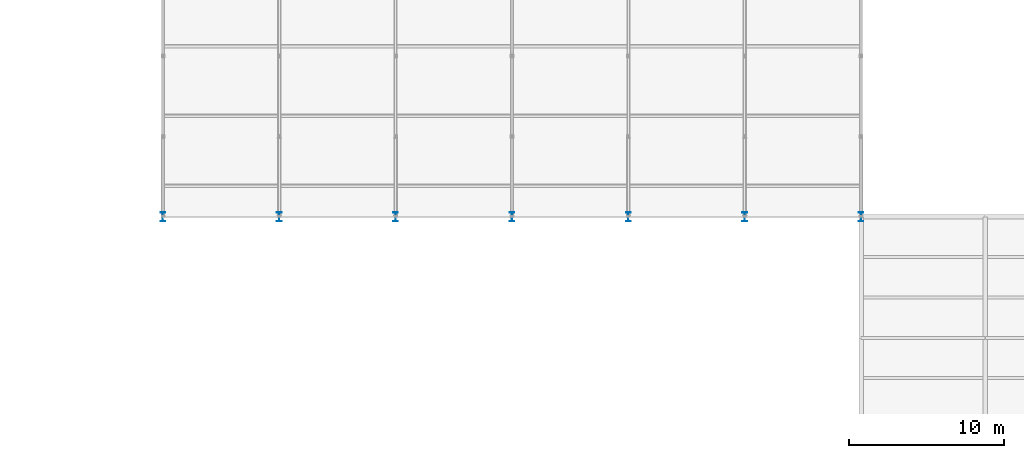
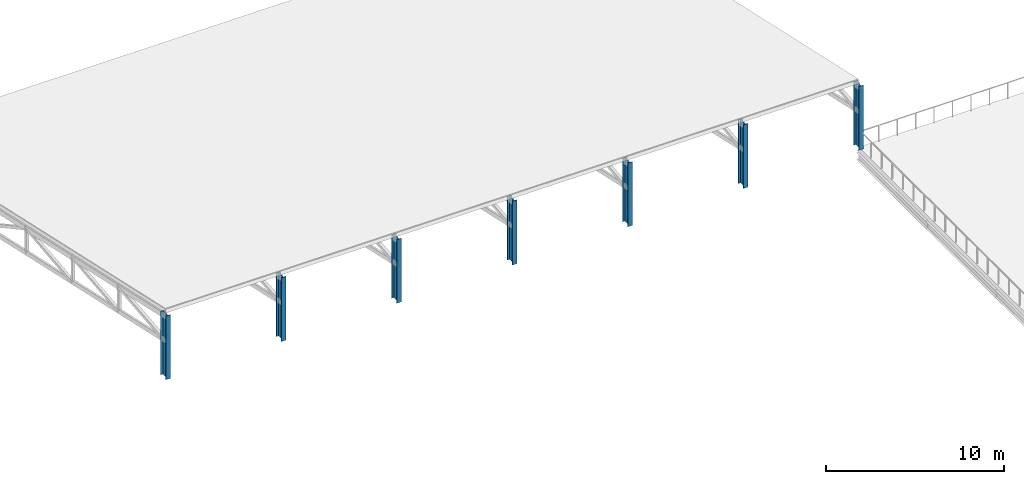
# One storey, part 2 of 77: 7 columns.
"""IFC4 building model written with IfcOpenShell, lengths in metres."""

from ifc_helpers import new_model, si_unit, direction, frame, origin, origin_2d, place, context, subcontext, project, spatial, i_section, extrude, material, material_profile, profile_set, type_object, element, save


model = new_model("IFC4")

# Units and contexts
model_context = context("Model", 3, precision=1e-05, world=origin(), true_north=direction((0.0, 1.0)))
body_context = subcontext(model_context, "Body", "Model", "MODEL_VIEW")
ifc_project = project(units=[si_unit("LENGTHUNIT", "METRE"), si_unit("AREAUNIT", "SQUARE_METRE"), si_unit("VOLUMEUNIT", "CUBIC_METRE"), si_unit("PLANEANGLEUNIT", "RADIAN"), si_unit("MASSUNIT", "GRAM", prefix="KILO")], contexts=[model_context])

# Site, building, storey
site_placement = place(None, origin())
site = spatial("IfcSite", under=ifc_project, at=site_placement, CompositionType="ELEMENT")
building_placement = place(site_placement, origin())
building = spatial("IfcBuilding", under=site, at=building_placement, Name="Yukiwa Park Conservatory and Herbarium", CompositionType="ELEMENT")
storey_placement = place(building_placement, frame((0.0, 0.0, 13.199951171875)))
storey = spatial("IfcBuildingStorey", under=building, at=storey_placement, Name="L03", CompositionType="ELEMENT", Elevation=13.199951171875)

# Columns
ifc_material_1 = material(Name="Steel Q355D", Category="steel")
ifc_material_profile_1 = material_profile(ifc_material_1, i_section(OverallWidth=0.300048828125, OverallDepth=0.587890625, WebThickness=0.011962890625, FlangeThickness=0.02001953125, FilletRadius=0.02392578125, at=origin_2d()), Name="HM 588x300x12x20")
ifc_profile_set_1 = profile_set([ifc_material_profile_1], Name="Steel Q355D")
column_type_1 = type_object("IfcColumnType", Name="COL-AU-HM588", PredefinedType="COLUMN", material=ifc_profile_set_1)
column_placement = place(storey_placement, frame((60.0, 78.0, 0.0), z_axis=(0.0, 0.0, 1.0), x_axis=(1.0, 0.0, 0.0)))
element("IfcColumn", 1, at=column_placement, inside=storey, type_object=column_type_1, Name="Auditorium L03 south clerestory column 7", PredefinedType="COLUMN", context=body_context, shape_type="SweptSolid", body=[
    extrude(i_section(OverallWidth=0.300048828125, OverallDepth=0.587890625, WebThickness=0.011962890625, FlangeThickness=0.02001953125, FilletRadius=0.02392578125, at=origin_2d()), origin(), (0.0, 0.0, 1.0), 4.3720703125),
])
ifc_material_2 = material(Name="Steel Q355D", Category="steel")
ifc_material_profile_2 = material_profile(ifc_material_2, i_section(OverallWidth=0.300048828125, OverallDepth=0.587890625, WebThickness=0.011962890625, FlangeThickness=0.02001953125, FilletRadius=0.02392578125, at=origin_2d()), Name="HM 588x300x12x20")
ifc_profile_set_2 = profile_set([ifc_material_profile_2], Name="Steel Q355D")
column_type_2 = type_object("IfcColumnType", Name="COL-AU-HM588-EXT", PredefinedType="COLUMN", material=ifc_profile_set_2)
for number, where, z_axis, x_axis, name in (
    (2, (15.0, 78.0, 0.0), (0.0, 0.0, 1.0), (1.0, 0.0, 0.0), "Auditorium L03 south clerestory column 1"),
    (3, (22.5, 78.0, 0.0), (0.0, 0.0, 1.0), (1.0, 0.0, 0.0), "Auditorium L03 south clerestory column 2"),
    (4, (30.0, 78.0, 0.0), (0.0, 0.0, 1.0), (1.0, 0.0, 0.0), "Auditorium L03 south clerestory column 3"),
    (5, (37.5, 78.0, 0.0), (0.0, 0.0, 1.0), (1.0, 0.0, 0.0), "Auditorium L03 south clerestory column 4"),
    (6, (45.0, 78.0, 0.0), (0.0, 0.0, 1.0), (1.0, 0.0, 0.0), "Auditorium L03 south clerestory column 5"),
    (7, (52.5, 78.0, 0.0), (0.0, 0.0, 1.0), (1.0, 0.0, 0.0), "Auditorium L03 south clerestory column 6"),
):
    element("IfcColumn", number, at=place(storey_placement, frame(where, z_axis=z_axis, x_axis=x_axis)), inside=storey, type_object=column_type_2, Name=name, PredefinedType="COLUMN", context=body_context, shape_type="SweptSolid", body=[
        extrude(i_section(OverallWidth=0.300048828125, OverallDepth=0.587890625, WebThickness=0.011962890625, FlangeThickness=0.02001953125, FilletRadius=0.02392578125, at=origin_2d()), origin(), (0.0, 0.0, 1.0), 4.3720703125),
    ])

save(model, "model.ifc")
